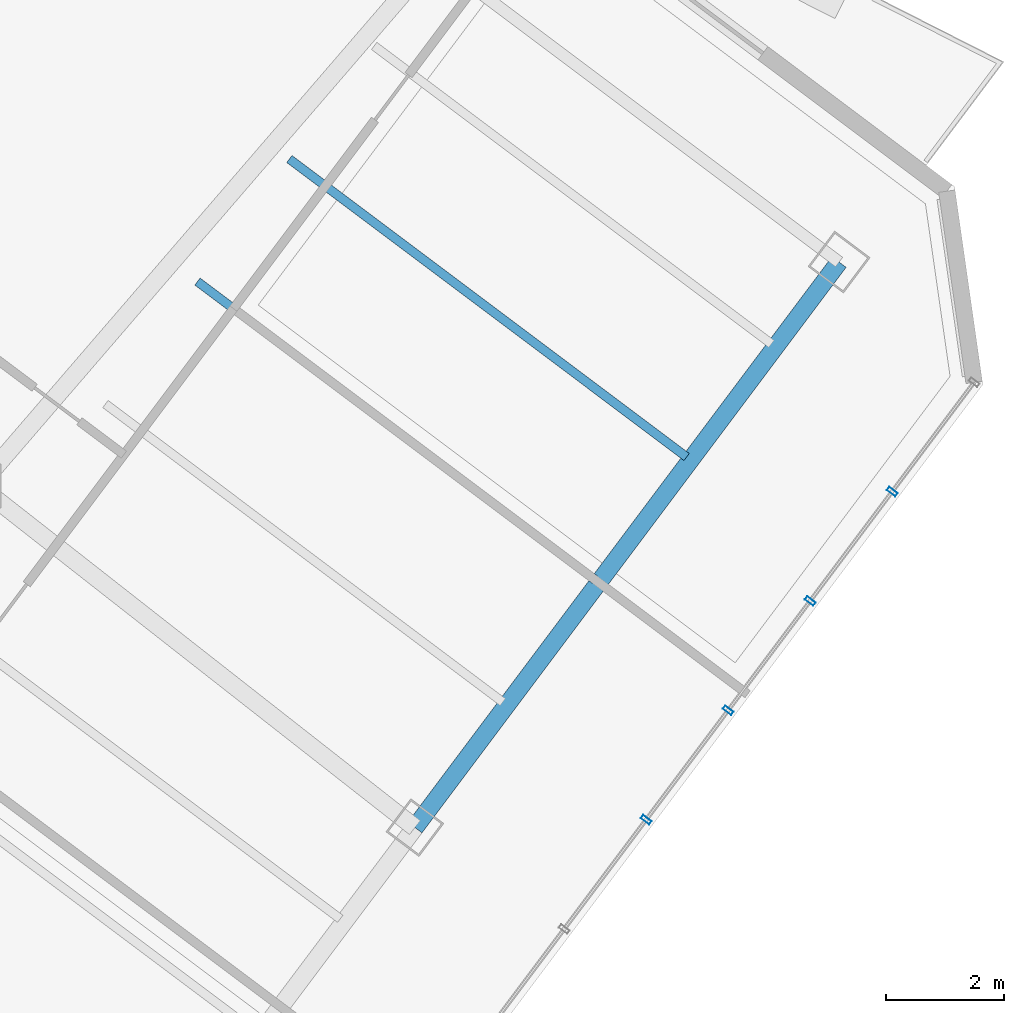
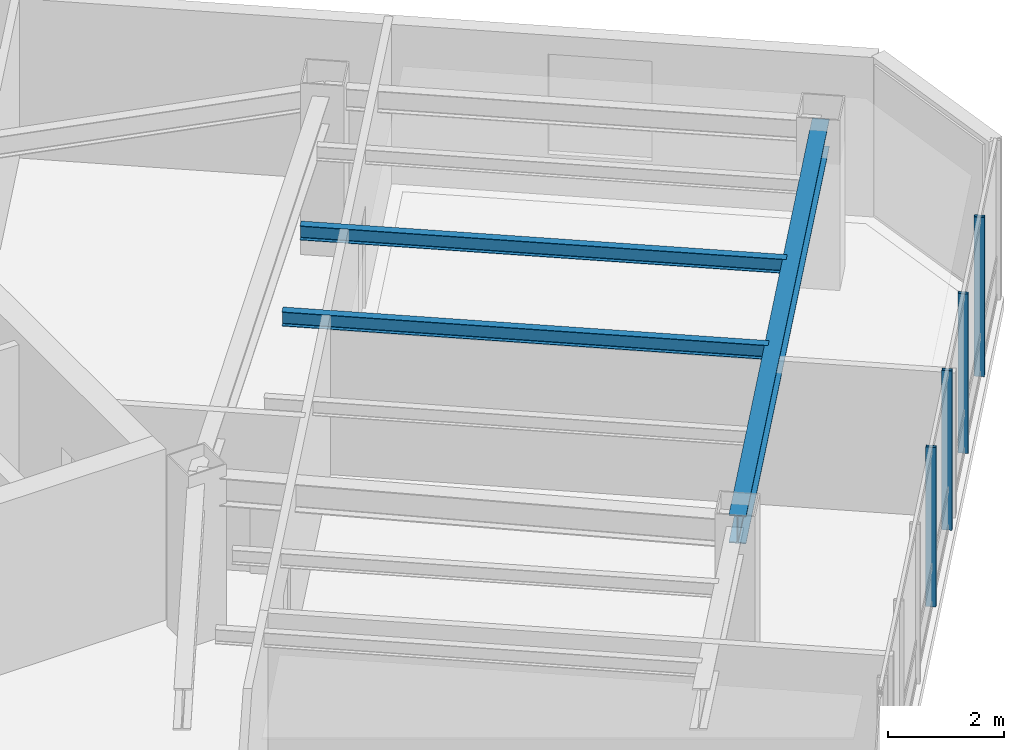
# One storey, part 13 of 26: 4 members, 3 beams, 1 element without a shape of its own.
"""IFC4 building model written with IfcOpenShell, lengths in metres."""

from ifc_helpers import new_model, si_unit, direction, frame, origin, origin_2d, place, context, subcontext, project, spatial, hollow_rectangle, i_section, extrude, material, layer, layer_set, material_profile, profile_set, type_object, element, aggregate, save


model = new_model("IFC4")

# Units and contexts
model_context = context("Model", 3, precision=1e-05, world=origin(), true_north=direction((0.0, 1.0)))
body_context = subcontext(model_context, "Body", "Model", "MODEL_VIEW")
ifc_project = project(units=[si_unit("LENGTHUNIT", "METRE"), si_unit("AREAUNIT", "SQUARE_METRE"), si_unit("VOLUMEUNIT", "CUBIC_METRE"), si_unit("PLANEANGLEUNIT", "RADIAN"), si_unit("MASSUNIT", "GRAM", prefix="KILO")], contexts=[model_context])

# Site, building, storey
site_placement = place(None, origin())
site = spatial("IfcSite", under=ifc_project, at=site_placement, CompositionType="ELEMENT")
building_placement = place(site_placement, origin())
building = spatial("IfcBuilding", under=site, at=building_placement, Name="Hatsunagi Terrace Concourse", CompositionType="ELEMENT")
storey_placement = place(building_placement, frame((0.0, 0.0, 198.75)))
storey = spatial("IfcBuildingStorey", under=building, at=storey_placement, Name="L52", CompositionType="ELEMENT", Elevation=198.75)

# Curtain wall, members
ifc_material_1 = material(Name="Anodised Aluminium Alloy 6063-T5", Category="aluminium")
ifc_layer = layer(ifc_material_1, 0.199951171875)
ifc_layer_set = layer_set([ifc_layer], Name="OfficeZone2_CW04")
curtain_wall_type = type_object("IfcCurtainWallType", Name="OfficeZone2_CW04", PredefinedType="NOTDEFINED", material=ifc_layer_set)
curtain_wall_placement = place(storey_placement, origin())
curtain_wall = element("IfcCurtainWall", 1, at=curtain_wall_placement, inside=storey, type_object=curtain_wall_type, Name="Unitised Curtain Wall CW-04 CW-L52-03", PredefinedType="NOTDEFINED")
ifc_material_2 = material(Name="Anodised Aluminium Alloy 6063-T5", Category="aluminium")
ifc_material_profile_1 = material_profile(ifc_material_2, hollow_rectangle(XDim=0.070068359375, YDim=0.179931640625, WallThickness=0.00390625, at=origin_2d()), Name="ALU-MUL-180x70x4")
ifc_profile_set_1 = profile_set([ifc_material_profile_1], Name="Anodised Aluminium Alloy 6063-T5")
member_type = type_object("IfcMemberType", Name="CurtainWallMullion_180x70", PredefinedType="MULLION", material=ifc_profile_set_1)
member_1_placement = place(storey_placement, frame((59.301025390625, 24.10205078125, 0.0), z_axis=(0.0, 0.0, 1.0), x_axis=(-0.599969314634, -0.800023013105, 0.0)))
member_1 = element("IfcMember", 2, at=member_1_placement, type_object=member_type, Name="Curtain Wall Mullion MUL-02", PredefinedType="MULLION", context=body_context, shape_type="SweptSolid", body=[
    extrude(hollow_rectangle(XDim=0.070068359375, YDim=0.179931640625, WallThickness=0.00390625, at=origin_2d()), origin(), (0.0, 0.0, 1.0), 3.35009765625),
])
member_2_placement = place(storey_placement, frame((57.908935546875, 22.2451171875, 0.0), z_axis=(0.0, 0.0, 1.0), x_axis=(-0.599969314634, -0.800023013105, 0.0)))
member_2 = element("IfcMember", 3, at=member_2_placement, type_object=member_type, Name="Curtain Wall Mullion MUL-02", PredefinedType="MULLION", context=body_context, shape_type="SweptSolid", body=[
    extrude(hollow_rectangle(XDim=0.070068359375, YDim=0.179931640625, WallThickness=0.00390625, at=origin_2d()), origin(), (0.0, 0.0, 1.0), 3.35009765625),
])
member_3_placement = place(storey_placement, frame((56.51611328125, 20.388916015625, 0.0), z_axis=(0.0, 0.0, 1.0), x_axis=(-0.599969314634, -0.800023013105, 0.0)))
member_3 = element("IfcMember", 4, at=member_3_placement, type_object=member_type, Name="Curtain Wall Mullion MUL-02", PredefinedType="MULLION", context=body_context, shape_type="SweptSolid", body=[
    extrude(hollow_rectangle(XDim=0.070068359375, YDim=0.179931640625, WallThickness=0.00390625, at=origin_2d()), origin(), (0.0, 0.0, 1.0), 3.35009765625),
])
member_4_placement = place(storey_placement, frame((55.1240234375, 18.531982421875, 0.0), z_axis=(0.0, 0.0, 1.0), x_axis=(-0.599969314634, -0.800023013105, 0.0)))
member_4 = element("IfcMember", 5, at=member_4_placement, type_object=member_type, Name="Curtain Wall Mullion MUL-02", PredefinedType="MULLION", context=body_context, shape_type="SweptSolid", body=[
    extrude(hollow_rectangle(XDim=0.070068359375, YDim=0.179931640625, WallThickness=0.00390625, at=origin_2d()), origin(), (0.0, 0.0, 1.0), 3.35009765625),
])
aggregate(curtain_wall, [member_1, member_2, member_3, member_4])

# Beams
ifc_material_3 = material(Name="Steel SN490B", Category="steel")
ifc_material_profile_2 = material_profile(ifc_material_3, i_section(OverallWidth=0.300048828125, OverallDepth=0.587890625, WebThickness=0.011962890625, FlangeThickness=0.02001953125, FilletRadius=0.01806640625, at=origin_2d()), Name="H-588x300x12x20")
ifc_profile_set_2 = profile_set([ifc_material_profile_2], Name="Steel SN490B")
beam_type_1 = type_object("IfcBeamType", Name="OfficeHighGirder_H_588x300", PredefinedType="BEAM", material=ifc_profile_set_2)
beam_placement = place(storey_placement, frame((51.199951171875, 18.39990234375, 3.055908203125), z_axis=(0.59999348959, 0.800004882766, 0.0), x_axis=(-0.800004882766, 0.59999348959, 0.0)))
element("IfcBeam", 6, at=beam_placement, inside=storey, type_object=beam_type_1, Name="Beam G-06 BM-L52-SET-2B", PredefinedType="BEAM", context=body_context, shape_type="SweptSolid", body=[
    extrude(i_section(OverallWidth=0.300048828125, OverallDepth=0.587890625, WebThickness=0.011962890625, FlangeThickness=0.02001953125, FilletRadius=0.01806640625, at=origin_2d()), origin(), (0.0, 0.0, 1.0), 12.0),
])
ifc_material_4 = material(Name="Steel SN490B", Category="steel")
ifc_material_profile_3 = material_profile(ifc_material_4, i_section(OverallWidth=0.14990234375, OverallDepth=0.300048828125, WebThickness=0.006591796875, FlangeThickness=0.009033203125, FilletRadius=0.010986328125, at=origin_2d()), Name="H-300x150x6.5x9")
ifc_profile_set_3 = profile_set([ifc_material_profile_3], Name="Steel SN490B")
beam_type_2 = type_object("IfcBeamType", Name="OfficeJoist_H_300x150", PredefinedType="JOIST", material=ifc_profile_set_3)
for number, where, z_axis, x_axis, name in (
    (7, (47.508056640625, 27.6689453125, 3.199951171875), (0.800003475366, -0.59999536615, 0.0), (0.59999536615, 0.800003475366, 0.0), "Beam J-03 J-L52-SE-2-168"),
    (8, (49.068115234375, 29.7490234375, 3.199951171875), (0.799989573921, -0.600013901187, 0.0), (0.600013901187, 0.799989573921, 0.0), "Beam J-03 J-L52-SE-2-194"),
):
    element("IfcBeam", number, at=place(storey_placement, frame(where, z_axis=z_axis, x_axis=x_axis)), inside=storey, type_object=beam_type_2, Name=name, PredefinedType="JOIST", context=body_context, shape_type="SweptSolid", body=[
        extrude(i_section(OverallWidth=0.14990234375, OverallDepth=0.300048828125, WebThickness=0.006591796875, FlangeThickness=0.009033203125, FilletRadius=0.010986328125, at=origin_2d()), origin(), (0.0, 0.0, 1.0), 8.429931640625),
    ])

save(model, "model.ifc")
